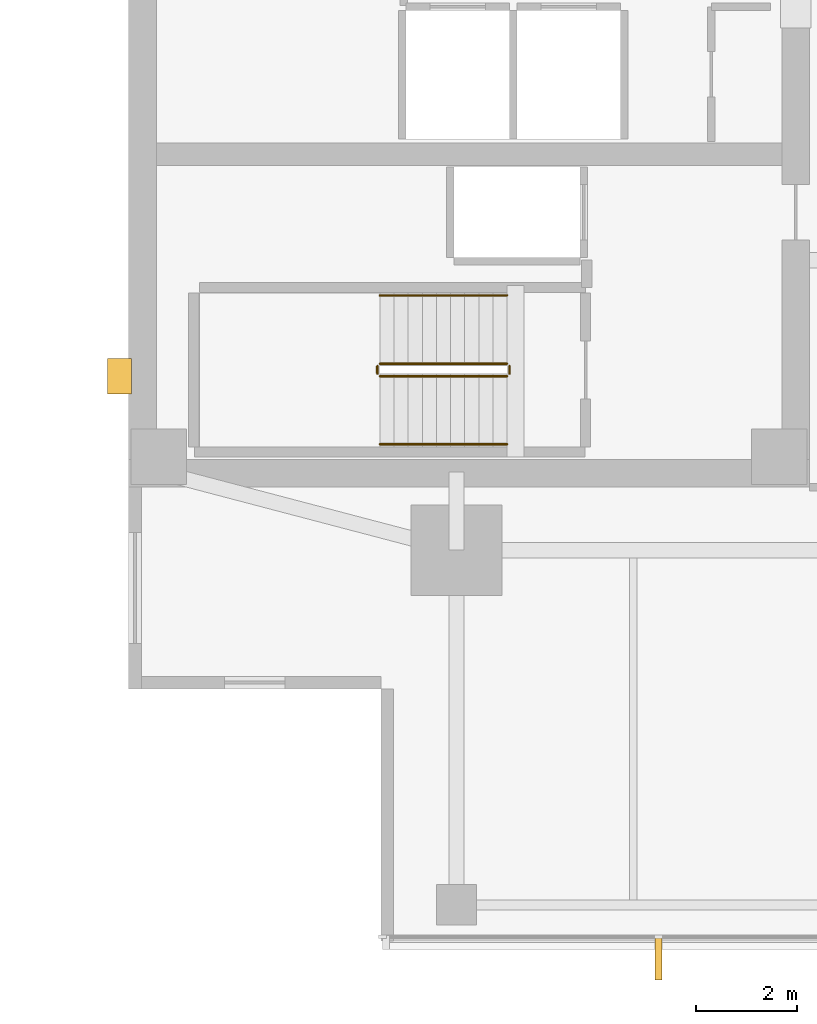
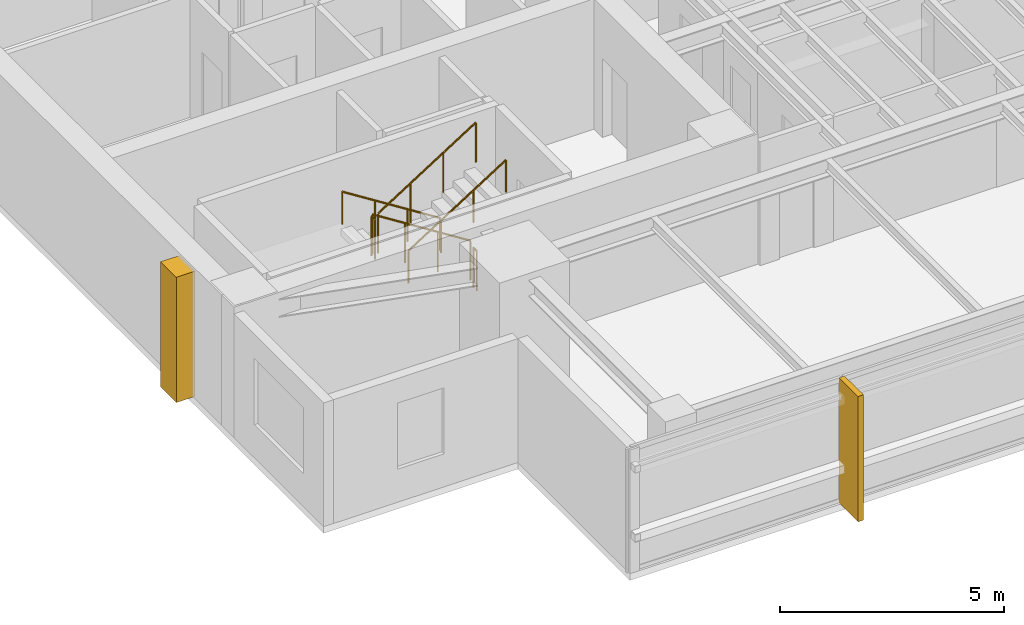
# One storey, part 11 of 14: 6 railings, 2 coverings.
"""IFC4 building model written with IfcOpenShell, lengths in metres."""

from ifc_helpers import new_model, si_unit, direction, frame, origin, origin_2d, place, context, subcontext, project, spatial, polyline, circle, outline, extrude, material, layer, layer_set, type_object, element, save


model = new_model("IFC4")

# Units and contexts
model_context = context("Model", 3, precision=1e-05, world=origin(), true_north=direction((0.0, 1.0)))
body_context = subcontext(model_context, "Body", "Model", "MODEL_VIEW")
ifc_project = project(units=[si_unit("LENGTHUNIT", "METRE"), si_unit("AREAUNIT", "SQUARE_METRE"), si_unit("VOLUMEUNIT", "CUBIC_METRE"), si_unit("PLANEANGLEUNIT", "RADIAN"), si_unit("MASSUNIT", "GRAM", prefix="KILO")], contexts=[model_context])

# Site, building, storey
site_placement = place(None, origin())
site = spatial("IfcSite", under=ifc_project, at=site_placement, CompositionType="ELEMENT")
building_placement = place(site_placement, origin())
building = spatial("IfcBuilding", under=site, at=building_placement, Name="Kinhvarn Gate Tower", CompositionType="ELEMENT")
storey_placement = place(building_placement, frame((0.0, 0.0, 191.60009765625)))
storey = spatial("IfcBuildingStorey", under=building, at=storey_placement, Name="L50", CompositionType="ELEMENT", Elevation=191.60009765625)

# Coverings
ifc_material_1 = material(Name="Fired architectural terracotta", Category="masonry")
ifc_layer_1 = layer(ifc_material_1, 0.139892578125)
ifc_layer_set_1 = layer_set([ifc_layer_1], Name="Fired architectural terracotta")
covering_type_1 = type_object("IfcCoveringType", Name="COV-FIN-850", PredefinedType="CLADDING", material=ifc_layer_set_1)
covering_1_placement = place(storey_placement, frame((0.0, 0.0, -0.02001953125)))
element("IfcCovering", 1, at=covering_1_placement, inside=storey, type_object=covering_type_1, Name="Vertical Terracotta Expressive Fin TFN-850 (L50)", PredefinedType="CLADDING", context=body_context, shape_type="SweptSolid", body=[
    extrude(outline(polyline([(14.929931640625, 5.080078125), (15.070068359375, 5.080078125), (15.070068359375, 4.22998046875), (14.929931640625, 4.22998046875), (14.929931640625, 5.080078125)])), origin(), (0.0, 0.0, 1.0), 3.409912109375),
])
ifc_material_2 = material(Name="Precast white architectural concrete C40/50", Category="concrete")
ifc_layer_2 = layer(ifc_material_2, 0.47998046875)
ifc_layer_set_2 = layer_set([ifc_layer_2], Name="Precast white architectural concrete C40/50")
covering_type_2 = type_object("IfcCoveringType", Name="COV-RIB-450", PredefinedType="CLADDING", material=ifc_layer_set_2)
covering_2_placement = place(storey_placement, frame((0.0, 0.0, -0.02001953125)))
element("IfcCovering", 2, at=covering_2_placement, inside=storey, type_object=covering_type_2, Name="West Core Sculptural Concrete Relief Rib CRB-450 (L50)", PredefinedType="CLADDING", context=body_context, shape_type="SweptSolid", body=[
    extrude(outline(polyline([(4.080078125, 15.85009765625), (4.56005859375, 15.85009765625), (4.56005859375, 16.550048828125), (4.080078125, 16.550048828125), (4.080078125, 15.85009765625)])), origin(), (0.0, 0.0, 1.0), 3.409912109375),
])

# Railings
ifc_material_3 = material(Name="Steel S355", Category="steel")
railing_type_1 = type_object("IfcRailingType", Name="RL-ST-GRD", PredefinedType="BALUSTRADE", material=ifc_material_3)
railing_1_placement = place(storey_placement, frame((12.0, 16.449951171875, 0.177490234375)))
element("IfcRailing", 3, at=railing_1_placement, inside=storey, type_object=railing_type_1, Name="L50 ST1 stair guard 1", PredefinedType="BALUSTRADE", context=body_context, shape_type="SweptSolid", body=[
    extrude(circle(Radius=0.02392578125, at=origin_2d()), frame((0.0, 0.0, 1.076171875), z_axis=(-0.84460694969, 0.0, 0.535386869969), x_axis=(0.0, -1.0, 0.0)), (0.0, 0.0, 1.0), 2.983642578125),
    extrude(circle(Radius=0.02099609375, at=origin_2d()), origin(), (0.0, 0.0, 1.0), 1.052001953125),
    extrude(circle(Radius=0.02099609375, at=origin_2d()), frame((-0.840087890625, 0.0, 0.532470703125)), (0.0, 0.0, 1.0), 1.052001953125),
    extrude(circle(Radius=0.02099609375, at=origin_2d()), frame((-1.679931640625, 0.0, 1.06494140625)), (0.0, 0.0, 1.0), 1.052001953125),
    extrude(circle(Radius=0.02099609375, at=origin_2d()), frame((-2.52001953125, 0.0, 1.597412109375)), (0.0, 0.0, 1.0), 1.052001953125),
])
railing_2_placement = place(storey_placement, frame((9.429931640625, 16.39990234375, 1.77490234375)))
element("IfcRailing", 4, at=railing_2_placement, inside=storey, type_object=railing_type_1, Name="L50 ST1 stair guard 2", PredefinedType="BALUSTRADE", context=body_context, shape_type="SweptSolid", body=[
    extrude(circle(Radius=0.02392578125, at=origin_2d()), frame((0.0, 0.0, 1.076171875), z_axis=(0.0, -1.0, 0.0), x_axis=(1.0, 0.0, 0.0)), (0.0, 0.0, 1.0), 0.14990234375),
    extrude(circle(Radius=0.02099609375, at=origin_2d()), origin(), (0.0, 0.0, 1.0), 1.052001953125),
    extrude(circle(Radius=0.02099609375, at=origin_2d()), frame((0.0, -0.14990234375, 0.0)), (0.0, 0.0, 1.0), 1.052001953125),
])
railing_3_placement = place(storey_placement, frame((9.47998046875, 16.199951171875, 1.952392578125)))
element("IfcRailing", 5, at=railing_3_placement, inside=storey, type_object=railing_type_1, Name="L50 ST1 stair guard 3", PredefinedType="BALUSTRADE", context=body_context, shape_type="SweptSolid", body=[
    extrude(circle(Radius=0.02392578125, at=origin_2d()), frame((0.0, 0.0, 1.076171875), z_axis=(0.84460694969, 0.0, 0.535386869969), x_axis=(0.0, 1.0, 0.0)), (0.0, 0.0, 1.0), 2.983642578125),
    extrude(circle(Radius=0.02099609375, at=origin_2d()), origin(), (0.0, 0.0, 1.0), 1.052001953125),
    extrude(circle(Radius=0.02099609375, at=origin_2d()), frame((0.840087890625, 0.0, 0.532470703125)), (0.0, 0.0, 1.0), 1.052001953125),
    extrude(circle(Radius=0.02099609375, at=origin_2d()), frame((1.679931640625, 0.0, 1.06494140625)), (0.0, 0.0, 1.0), 1.052001953125),
    extrude(circle(Radius=0.02099609375, at=origin_2d()), frame((2.52001953125, 0.0, 1.597412109375)), (0.0, 0.0, 1.0), 1.052001953125),
])
railing_4_placement = place(storey_placement, frame((12.050048828125, 16.39990234375, 0.0)))
element("IfcRailing", 6, at=railing_4_placement, inside=storey, type_object=railing_type_1, Name="L50 ST1 stair guard 4", PredefinedType="BALUSTRADE", context=body_context, shape_type="SweptSolid", body=[
    extrude(circle(Radius=0.02392578125, at=origin_2d()), frame((0.0, 0.0, 1.076171875), z_axis=(0.0, -1.0, 0.0), x_axis=(1.0, 0.0, 0.0)), (0.0, 0.0, 1.0), 0.14990234375),
    extrude(circle(Radius=0.02099609375, at=origin_2d()), origin(), (0.0, 0.0, 1.0), 1.052001953125),
    extrude(circle(Radius=0.02099609375, at=origin_2d()), frame((0.0, -0.14990234375, 0.0)), (0.0, 0.0, 1.0), 1.052001953125),
])
railing_type_2 = type_object("IfcRailingType", Name="RL-ST-HND", PredefinedType="HANDRAIL", material=ifc_material_3)
railing_5_placement = place(storey_placement, frame((12.0, 17.800048828125, 0.177490234375)))
element("IfcRailing", 7, at=railing_5_placement, inside=storey, type_object=railing_type_2, Name="L50 ST1 stair handrail 1", PredefinedType="HANDRAIL", context=body_context, shape_type="SweptSolid", body=[
    extrude(circle(Radius=0.02392578125, at=origin_2d()), frame((0.0, 0.0, 0.8759765625), z_axis=(-0.84460694969, 0.0, 0.535386869969), x_axis=(0.0, -1.0, 0.0)), (0.0, 0.0, 1.0), 2.983642578125),
    extrude(circle(Radius=0.02099609375, at=origin_2d()), origin(), (0.0, 0.0, 1.0), 0.851806640625),
    extrude(circle(Radius=0.02099609375, at=origin_2d()), frame((-0.840087890625, 0.0, 0.532470703125)), (0.0, 0.0, 1.0), 0.851806640625),
    extrude(circle(Radius=0.02099609375, at=origin_2d()), frame((-1.679931640625, 0.0, 1.06494140625)), (0.0, 0.0, 1.0), 0.851806640625),
    extrude(circle(Radius=0.02099609375, at=origin_2d()), frame((-2.52001953125, 0.0, 1.597412109375)), (0.0, 0.0, 1.0), 0.851806640625),
])
railing_6_placement = place(storey_placement, frame((9.47998046875, 14.85009765625, 1.952392578125)))
element("IfcRailing", 8, at=railing_6_placement, inside=storey, type_object=railing_type_2, Name="L50 ST1 stair handrail 2", PredefinedType="HANDRAIL", context=body_context, shape_type="SweptSolid", body=[
    extrude(circle(Radius=0.02392578125, at=origin_2d()), frame((0.0, 0.0, 0.8759765625), z_axis=(0.84460694969, 0.0, 0.535386869969), x_axis=(0.0, 1.0, 0.0)), (0.0, 0.0, 1.0), 2.983642578125),
    extrude(circle(Radius=0.02099609375, at=origin_2d()), origin(), (0.0, 0.0, 1.0), 0.851806640625),
    extrude(circle(Radius=0.02099609375, at=origin_2d()), frame((0.840087890625, 0.0, 0.532470703125)), (0.0, 0.0, 1.0), 0.851806640625),
    extrude(circle(Radius=0.02099609375, at=origin_2d()), frame((1.679931640625, 0.0, 1.06494140625)), (0.0, 0.0, 1.0), 0.851806640625),
    extrude(circle(Radius=0.02099609375, at=origin_2d()), frame((2.52001953125, 0.0, 1.597412109375)), (0.0, 0.0, 1.0), 0.851806640625),
])

save(model, "model.ifc")
